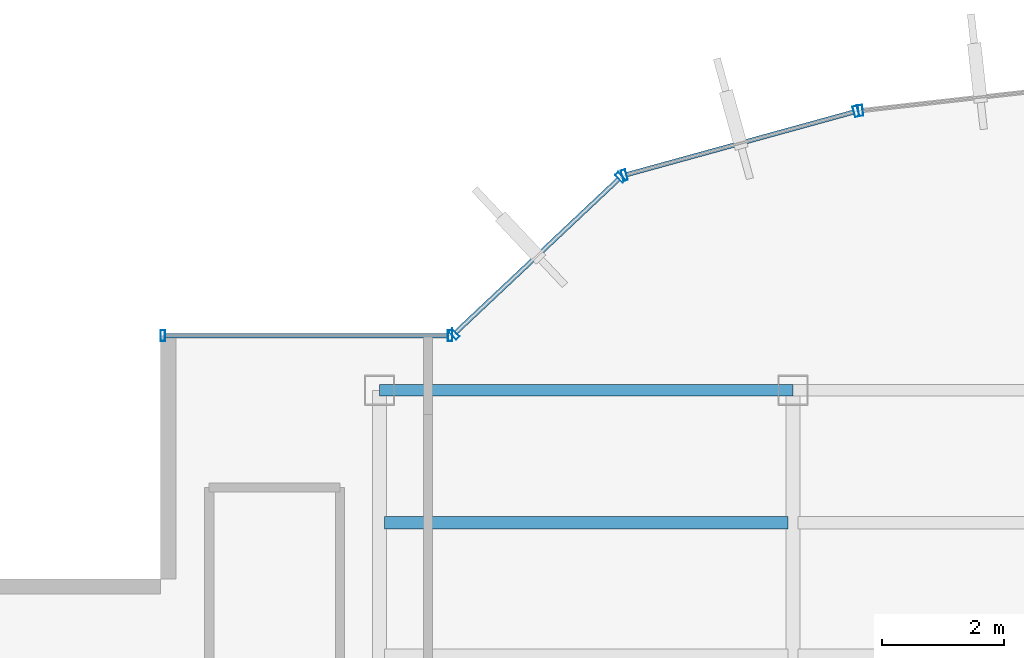
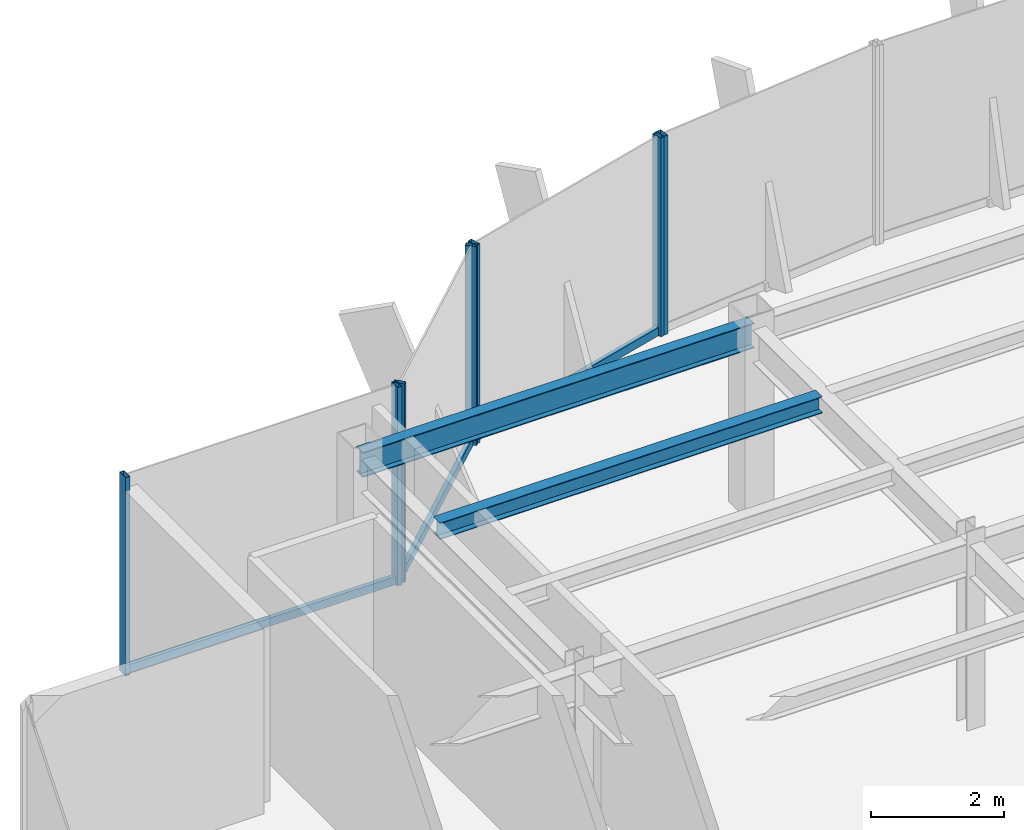
# One storey, part 12 of 22: 10 members, 2 beams, 4 elements without a shape of their own.
"""IFC4 building model written with IfcOpenShell, lengths in metres."""

from ifc_helpers import new_model, si_unit, derived_unit, direction, frame, origin, origin_2d, place, context, subcontext, project, spatial, hollow_rectangle, i_section, extrude, source, transform, mapped, material, material_profile, profile_set, type_object, element, aggregate, save


model = new_model("IFC4")

# Units and contexts
model_context = context("Model", 3, precision=1e-05, world=origin(), true_north=direction((0.0, 1.0)))
body_context = subcontext(model_context, "Body", "Model", "MODEL_VIEW")
ifc_project = project(units=[si_unit("LENGTHUNIT", "METRE"), si_unit("AREAUNIT", "SQUARE_METRE"), si_unit("VOLUMEUNIT", "CUBIC_METRE"), si_unit("PLANEANGLEUNIT", "RADIAN"), si_unit("MASSUNIT", "GRAM", prefix="KILO"), derived_unit("THERMALTRANSMITTANCEUNIT", [(si_unit("POWERUNIT", "WATT"), 1), (si_unit("LENGTHUNIT", "METRE"), -2), (si_unit("THERMODYNAMICTEMPERATUREUNIT", "KELVIN"), -1)])], contexts=[model_context])

# Site, building, storey
site_placement = place(None, origin())
site = spatial("IfcSite", under=ifc_project, at=site_placement, CompositionType="ELEMENT")
building_placement = place(site_placement, origin())
building = spatial("IfcBuilding", under=site, at=building_placement, Name="Skarnbrae Concourse Arena and Tower", CompositionType="ELEMENT")
storey_placement = place(building_placement, frame((0.0, 0.0, 240.550048828125)))
storey = spatial("IfcBuildingStorey", under=building, at=storey_placement, Name="L62", CompositionType="ELEMENT", Elevation=240.550048828125)

# Beams
ifc_material_1 = material(Name="Steel CSA G40.21 350W", Category="steel")
ifc_material_profile_1 = material_profile(ifc_material_1, i_section(OverallWidth=0.19091796875, OverallDepth=0.4599609375, WebThickness=0.010009765625, FlangeThickness=0.01611328125, at=origin_2d()), Name="W460X82")
ifc_profile_set_1 = profile_set([ifc_material_profile_1], Name="Steel CSA G40.21 350W")
beam_type_1 = type_object("IfcBeamType", Name="BM-SPAN-W460X82", PredefinedType="SPANDREL", material=ifc_profile_set_1)
shared_shape_1 = source(origin(), body_context, "Body", "SweptSolid", [
    extrude(i_section(OverallWidth=0.19091796875, OverallDepth=0.4599609375, WebThickness=0.010009765625, FlangeThickness=0.01611328125, at=origin_2d()), origin(), (0.0, 0.0, 1.0), 6.7998046875),
])
beam_1_placement = place(storey_placement, frame((7.60009765625, 34.39990234375, 3.169921875), z_axis=(1.0, 0.0, 0.0), x_axis=(0.0, 1.0, 0.0)))
element("IfcBeam", 1, at=beam_1_placement, inside=storey, type_object=beam_type_1, Name="L62 Perimeter spandrel Y34.4-1", PredefinedType="SPANDREL", context=body_context, shape_type="MappedRepresentation", body=[
    mapped(shared_shape_1, transform((0.0, 0.0, 0.0))),
])
ifc_material_profile_2 = material_profile(ifc_material_1, i_section(OverallWidth=0.202880859375, OverallDepth=0.302978515625, WebThickness=0.007568359375, FlangeThickness=0.01318359375, at=origin_2d()), Name="W310X60")
ifc_profile_set_2 = profile_set([ifc_material_profile_2], Name="Steel CSA G40.21 350W")
beam_type_2 = type_object("IfcBeamType", Name="BM-JOIST-W310X60", PredefinedType="JOIST", material=ifc_profile_set_2)
shared_shape_2 = source(origin(), body_context, "Body", "SweptSolid", [
    extrude(i_section(OverallWidth=0.202880859375, OverallDepth=0.302978515625, WebThickness=0.007568359375, FlangeThickness=0.01318359375, at=origin_2d()), origin(), (0.0, 0.0, 1.0), 6.64013671875),
])
beam_2_placement = place(storey_placement, frame((7.679931640625, 32.221923828125, 3.24853515625), z_axis=(1.0, 0.0, 0.0), x_axis=(0.0, 1.0, 0.0)))
element("IfcBeam", 2, at=beam_2_placement, inside=storey, type_object=beam_type_2, Name="L62 Secondary floor joist 3.2.1", PredefinedType="JOIST", context=body_context, shape_type="MappedRepresentation", body=[
    mapped(shared_shape_2, transform((0.0, 0.0, 0.0))),
])

# Curtain wall, member
ifc_material_2 = material(Name="Bronze anodised aluminium 6063-T6", Category="aluminium")
curtain_wall_type = type_object("IfcCurtainWallType", Name="CW-SYS-05-HIGHZONE", PredefinedType="USERDEFINED", material=ifc_material_2)
curtain_wall_1_placement = place(storey_placement, origin())
curtain_wall_1 = element("IfcCurtainWall", 3, at=curtain_wall_1_placement, inside=storey, type_object=curtain_wall_type, Name="L62 Unitised curtain wall CW-L62-E12", ObjectType="UNITISED CURTAIN WALL", PredefinedType="USERDEFINED")
ifc_material_profile_3 = material_profile(ifc_material_2, hollow_rectangle(XDim=0.074951171875, YDim=0.179931640625, WallThickness=0.00390625, at=origin_2d()), Name="ALU-MULL-75X180")
ifc_profile_set_3 = profile_set([ifc_material_profile_3], Name="Bronze anodised aluminium 6063-T6")
member_type_1 = type_object("IfcMemberType", Name="CWM-CW-05", PredefinedType="MULLION", material=ifc_profile_set_3)
shared_shape_3 = source(origin(), body_context, "Body", "SweptSolid", [
    extrude(hollow_rectangle(XDim=0.074951171875, YDim=0.179931640625, WallThickness=0.00390625, at=origin_2d()), origin(), (0.0, 0.0, 1.0), 3.64990234375),
])
member_1_placement = place(storey_placement, frame((15.511474609375, 39.001220703125, 0.0), z_axis=(0.0, 0.0, 1.0), x_axis=(-0.993768891873, -0.111460259941, 0.0)))
member_1 = element("IfcMember", 4, at=member_1_placement, type_object=member_type_1, Name="CW-L62-E12 Mullion 2", PredefinedType="MULLION", context=body_context, shape_type="MappedRepresentation", body=[
    mapped(shared_shape_3, transform((0.0, 0.0, 0.0))),
])
aggregate(curtain_wall_1, [member_1])

# Curtain wall, members
curtain_wall_2_placement = place(storey_placement, origin())
curtain_wall_2 = element("IfcCurtainWall", 5, at=curtain_wall_2_placement, inside=storey, type_object=curtain_wall_type, Name="L62 Unitised curtain wall CW-L62-E13", ObjectType="UNITISED CURTAIN WALL", PredefinedType="USERDEFINED")
member_2_placement = place(storey_placement, frame((15.43798828125, 38.987060546875, 0.0), z_axis=(0.0, 0.0, 1.0), x_axis=(-0.964057388766, -0.265694093207, 0.0)))
member_2 = element("IfcMember", 6, at=member_2_placement, type_object=member_type_1, Name="CW-L62-E13 Mullion 1", PredefinedType="MULLION", context=body_context, shape_type="MappedRepresentation", body=[
    mapped(shared_shape_3, transform((0.0, 0.0, 0.0))),
])
member_3_placement = place(storey_placement, frame((11.62646484375, 37.936767578125, 0.0), z_axis=(0.0, 0.0, 1.0), x_axis=(-0.964057388766, -0.265694093207, 0.0)))
member_3 = element("IfcMember", 7, at=member_3_placement, type_object=member_type_1, Name="CW-L62-E13 Mullion 2", PredefinedType="MULLION", context=body_context, shape_type="MappedRepresentation", body=[
    mapped(shared_shape_3, transform((0.0, 0.0, 0.0))),
])

curtain_wall_3_placement = place(storey_placement, origin())
curtain_wall_3 = element("IfcCurtainWall", 8, at=curtain_wall_3_placement, inside=storey, type_object=curtain_wall_type, Name="L62 Unitised curtain wall CW-L62-E14", ObjectType="UNITISED CURTAIN WALL", PredefinedType="USERDEFINED")
member_4_placement = place(storey_placement, frame((11.56298828125, 37.90087890625, 0.0), z_axis=(0.0, 0.0, 1.0), x_axis=(-0.728130555214, -0.685438468838, 0.0)))
member_4 = element("IfcMember", 9, at=member_4_placement, type_object=member_type_1, Name="CW-L62-E14 Mullion 1", PredefinedType="MULLION", context=body_context, shape_type="MappedRepresentation", body=[
    mapped(shared_shape_3, transform((0.0, 0.0, 0.0))),
])
member_5_placement = place(storey_placement, frame((8.827392578125, 35.32568359375, 0.0), z_axis=(0.0, 0.0, 1.0), x_axis=(-0.728130555214, -0.685438468838, 0.0)))
member_5 = element("IfcMember", 10, at=member_5_placement, type_object=member_type_1, Name="CW-L62-E14 Mullion 2", PredefinedType="MULLION", context=body_context, shape_type="MappedRepresentation", body=[
    mapped(shared_shape_3, transform((0.0, 0.0, 0.0))),
])

curtain_wall_4_placement = place(storey_placement, origin())
curtain_wall_4 = element("IfcCurtainWall", 11, at=curtain_wall_4_placement, inside=storey, type_object=curtain_wall_type, Name="L62 Unitised curtain wall CW-L62-E15", ObjectType="UNITISED CURTAIN WALL", PredefinedType="USERDEFINED")
member_6_placement = place(storey_placement, frame((8.762451171875, 35.300048828125, 0.0), z_axis=(0.0, 0.0, 1.0), x_axis=(-1.0, 0.0, 0.0)))
member_6 = element("IfcMember", 12, at=member_6_placement, type_object=member_type_1, Name="CW-L62-E15 Mullion 1", PredefinedType="MULLION", context=body_context, shape_type="MappedRepresentation", body=[
    mapped(shared_shape_3, transform((0.0, 0.0, 0.0))),
])
member_7_placement = place(storey_placement, frame((4.03759765625, 35.300048828125, 0.0), z_axis=(0.0, 0.0, 1.0), x_axis=(-1.0, 0.0, 0.0)))
member_7 = element("IfcMember", 13, at=member_7_placement, type_object=member_type_1, Name="CW-L62-E15 Mullion 2", PredefinedType="MULLION", context=body_context, shape_type="MappedRepresentation", body=[
    mapped(shared_shape_3, transform((0.0, 0.0, 0.0))),
])
ifc_material_profile_4 = material_profile(ifc_material_2, hollow_rectangle(XDim=0.074951171875, YDim=0.14990234375, WallThickness=0.00390625, at=origin_2d()), Name="ALU-TRAN-75X150")
ifc_profile_set_4 = profile_set([ifc_material_profile_4], Name="Bronze anodised aluminium 6063-T6")
member_type_2 = type_object("IfcMemberType", Name="CWT-CW-05", PredefinedType="USERDEFINED", material=ifc_profile_set_4)
shared_shape_4 = source(origin(), body_context, "Body", "SweptSolid", [
    extrude(hollow_rectangle(XDim=0.074951171875, YDim=0.14990234375, WallThickness=0.00390625, at=origin_2d()), origin(), (0.0, 0.0, 1.0), 4.650146484375),
])
member_8_placement = place(storey_placement, frame((8.72509765625, 35.300048828125, 0.074951171875), z_axis=(-1.0, 0.0, 0.0), x_axis=(0.0, -1.0, 0.0)))
member_8 = element("IfcMember", 14, at=member_8_placement, type_object=member_type_2, Name="CW-L62-E15 Transom 1", ObjectType="TRANSOM", PredefinedType="USERDEFINED", context=body_context, shape_type="MappedRepresentation", body=[
    mapped(shared_shape_4, transform((0.0, 0.0, 0.0))),
])
aggregate(curtain_wall_4, [member_6, member_7, member_8])

# Member
shared_shape_5 = source(origin(), body_context, "Body", "SweptSolid", [
    extrude(hollow_rectangle(XDim=0.074951171875, YDim=0.14990234375, WallThickness=0.00390625, at=origin_2d()), origin(), (0.0, 0.0, 1.0), 3.68212890625),
])
member_9_placement = place(storey_placement, frame((11.53564453125, 37.875244140625, 0.074951171875), z_axis=(-0.728133808476, -0.685435012933, 0.0), x_axis=(0.685435012933, -0.728133808476, 0.0)))
member_9 = element("IfcMember", 15, at=member_9_placement, type_object=member_type_2, Name="CW-L62-E14 Transom 1", ObjectType="TRANSOM", PredefinedType="USERDEFINED", context=body_context, shape_type="MappedRepresentation", body=[
    mapped(shared_shape_5, transform((0.0, 0.0, 0.0))),
])

aggregate(curtain_wall_3, [member_4, member_5, member_9])

shared_shape_6 = source(origin(), body_context, "Body", "SweptSolid", [
    extrude(hollow_rectangle(XDim=0.074951171875, YDim=0.14990234375, WallThickness=0.00390625, at=origin_2d()), origin(), (0.0, 0.0, 1.0), 3.878662109375),
])
member_10_placement = place(storey_placement, frame((15.40185546875, 38.977294921875, 0.074951171875), z_axis=(-0.964042677713, -0.265747465742, 0.0), x_axis=(0.265747465742, -0.964042677713, 0.0)))
member_10 = element("IfcMember", 16, at=member_10_placement, type_object=member_type_2, Name="CW-L62-E13 Transom 1", ObjectType="TRANSOM", PredefinedType="USERDEFINED", context=body_context, shape_type="MappedRepresentation", body=[
    mapped(shared_shape_6, transform((0.0, 0.0, 0.0))),
])

aggregate(curtain_wall_2, [member_2, member_3, member_10])

save(model, "model.ifc")
